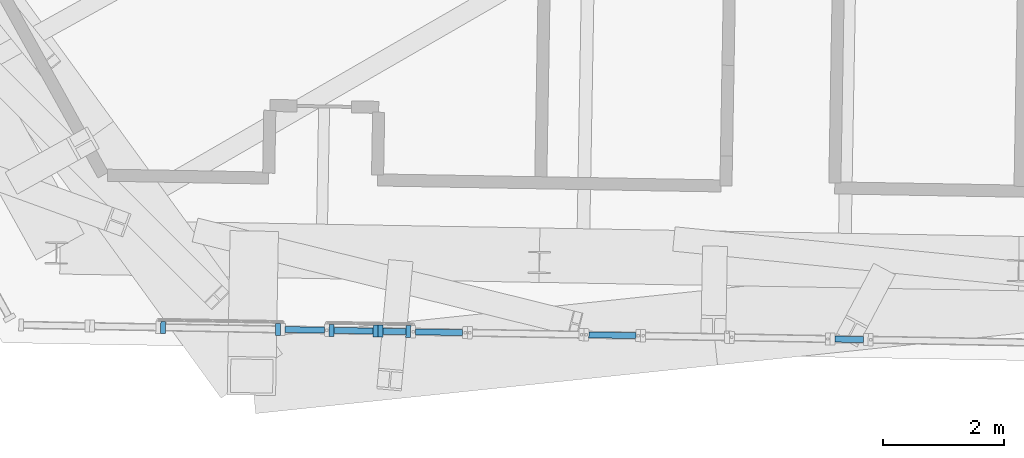
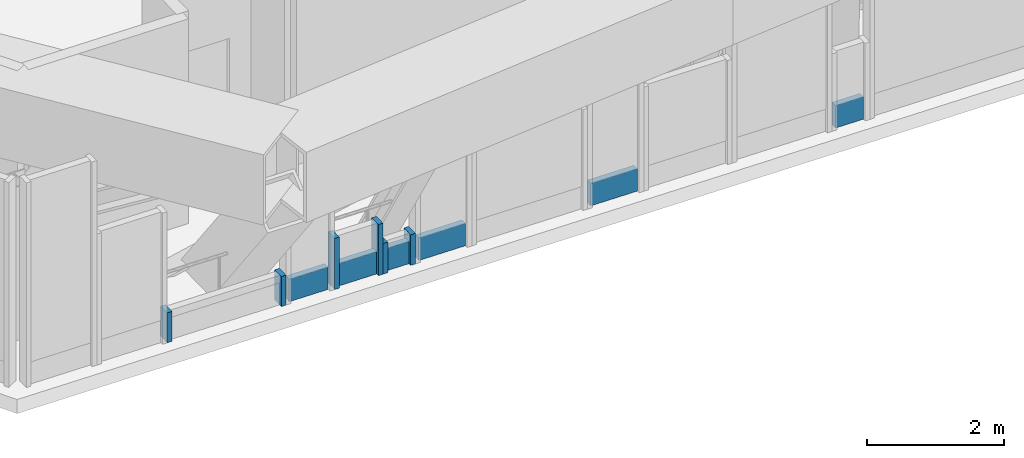
# One storey, part 10 of 28: 12 members, 7 elements without a shape of their own.
"""IFC4 building model written with IfcOpenShell, lengths in metres."""

from ifc_helpers import new_model, si_unit, direction, frame, origin, origin_2d, place, context, subcontext, project, spatial, rectangle, extrude, source, transform, mapped, material, material_profile, profile_set, type_object, element, aggregate, save


model = new_model("IFC4")

# Units and contexts
model_context = context("Model", 3, precision=1e-05, world=origin(), true_north=direction((0.0, 1.0)))
body_context = subcontext(model_context, "Body", "Model", "MODEL_VIEW")
ifc_project = project(units=[si_unit("LENGTHUNIT", "METRE"), si_unit("AREAUNIT", "SQUARE_METRE"), si_unit("VOLUMEUNIT", "CUBIC_METRE"), si_unit("PLANEANGLEUNIT", "RADIAN"), si_unit("MASSUNIT", "GRAM", prefix="KILO")], contexts=[model_context])

# Site, building, storey
site_placement = place(None, origin())
site = spatial("IfcSite", under=ifc_project, at=site_placement, CompositionType="ELEMENT")
building_placement = place(site_placement, origin())
building = spatial("IfcBuilding", under=site, at=building_placement, Name="Triune Harvest Tower", CompositionType="ELEMENT")
storey_placement = place(building_placement, frame((0.0, 0.0, 215.89990234375)))
storey = spatial("IfcBuildingStorey", under=building, at=storey_placement, Name="L56", CompositionType="ELEMENT", Elevation=215.89990234375)

# Curtain wall, member
ifc_material_1 = material(Name="Aluminium bronze anodised", Category="aluminium")
curtain_wall_type = type_object("IfcCurtainWallType", Name="CW-5 Plant louvre wall", PredefinedType="NOTDEFINED", material=ifc_material_1)
curtain_wall_1_placement = place(storey_placement, origin())
curtain_wall_1 = element("IfcCurtainWall", 1, at=curtain_wall_1_placement, inside=storey, type_object=curtain_wall_type, Name="CW-5 B5-F5 L56 run 401")
ifc_material_2 = material(Name="Aluminium bronze anodised", Category="aluminium")
ifc_material_profile_1 = material_profile(ifc_material_2, rectangle(XDim=0.10009765625, YDim=0.39990234375, at=origin_2d()), Name="TR-5 transom 100 x 400")
ifc_profile_set_1 = profile_set([ifc_material_profile_1], Name="Aluminium bronze anodised")
member_type_1 = type_object("IfcMemberType", Name="TR-5 transom 100 x 400", PredefinedType="USERDEFINED", material=ifc_profile_set_1)
member_1_placement = place(storey_placement, frame((-19.587158203125, -20.33837890625, 0.2001953125), z_axis=(0.999849602491, -0.017342790993, 0.0), x_axis=(0.017342790993, 0.999849602491, 0.0)))
member_1 = element("IfcMember", 2, at=member_1_placement, type_object=member_type_1, Name="CW-5 transom B5-F5 401.1", ObjectType="TRANSOM", PredefinedType="USERDEFINED", context=body_context, shape_type="SweptSolid", body=[
    extrude(rectangle(XDim=0.10009765625, YDim=0.39990234375, at=origin_2d()), origin(), (0.0, 0.0, 1.0), 0.6474609375),
])

curtain_wall_2_placement = place(storey_placement, origin())
curtain_wall_2 = element("IfcCurtainWall", 3, at=curtain_wall_2_placement, inside=storey, type_object=curtain_wall_type, Name="CW-5 B5-F5 L56 run 301")
shared_shape_1 = source(origin(), body_context, "Body", "SweptSolid", [
    extrude(rectangle(XDim=0.10009765625, YDim=0.39990234375, at=origin_2d()), origin(), (0.0, 0.0, 1.0), 0.647705078125),
])
member_2_placement = place(storey_placement, frame((-20.394775390625, -20.32421875, 0.2001953125), z_axis=(0.99984311226, -0.017713014051, 0.0), x_axis=(0.017713014051, 0.99984311226, 0.0)))
member_2 = element("IfcMember", 4, at=member_2_placement, type_object=member_type_1, Name="CW-5 transom B5-F5 301.1", ObjectType="TRANSOM", PredefinedType="USERDEFINED", context=body_context, shape_type="MappedRepresentation", body=[
    mapped(shared_shape_1, transform((0.0, 0.0, 0.0), scale=1.0)),
])
aggregate(curtain_wall_2, [member_2])

curtain_wall_3_placement = place(storey_placement, origin())
curtain_wall_3 = element("IfcCurtainWall", 5, at=curtain_wall_3_placement, inside=storey, type_object=curtain_wall_type, Name="CW-5 B5-F5 L56 run 501")
shared_shape_2 = source(origin(), body_context, "Body", "SweptSolid", [
    extrude(rectangle(XDim=0.10009765625, YDim=0.39990234375, at=origin_2d()), origin(), (0.0, 0.0, 1.0), 0.3798828125),
])
member_3_placement = place(storey_placement, frame((-18.77978515625, -20.3525390625, 0.2001953125), z_axis=(0.999849484825, -0.017349573323, 0.0), x_axis=(0.017349573323, 0.999849484825, 0.0)))
member_3 = element("IfcMember", 6, at=member_3_placement, type_object=member_type_1, Name="CW-5 transom B5-F5 501.1", ObjectType="TRANSOM", PredefinedType="USERDEFINED", context=body_context, shape_type="MappedRepresentation", body=[
    mapped(shared_shape_2, transform((0.0, 0.0, 0.0), scale=1.0)),
])

curtain_wall_4_placement = place(storey_placement, origin())
curtain_wall_4 = element("IfcCurtainWall", 7, at=curtain_wall_4_placement, inside=storey, type_object=curtain_wall_type, Name="CW-5 B5-F5 L56 run 601")
shared_shape_3 = source(origin(), body_context, "Body", "SweptSolid", [
    extrude(rectangle(XDim=0.10009765625, YDim=0.39990234375, at=origin_2d()), origin(), (0.0, 0.0, 1.0), 0.780029296875),
])
member_4_placement = place(storey_placement, frame((-18.239990234375, -20.36181640625, 0.2001953125), z_axis=(0.999846430743, -0.017524694874, 0.0), x_axis=(0.017524694874, 0.999846430743, 0.0)))
member_4 = element("IfcMember", 8, at=member_4_placement, type_object=member_type_1, Name="CW-5 transom B5-F5 601.1", ObjectType="TRANSOM", PredefinedType="USERDEFINED", context=body_context, shape_type="MappedRepresentation", body=[
    mapped(shared_shape_3, transform((0.0, 0.0, 0.0), scale=1.0)),
])
aggregate(curtain_wall_4, [member_4])

curtain_wall_5_placement = place(storey_placement, origin())
curtain_wall_5 = element("IfcCurtainWall", 9, at=curtain_wall_5_placement, inside=storey, type_object=curtain_wall_type, Name="CW-5 B5-F5 L56 run 801")
shared_shape_4 = source(origin(), body_context, "Body", "SweptSolid", [
    extrude(rectangle(XDim=0.10009765625, YDim=0.39990234375, at=origin_2d()), origin(), (0.0, 0.0, 1.0), 0.777587890625),
])
member_5_placement = place(storey_placement, frame((-15.374267578125, -20.411865234375, 0.2001953125), z_axis=(0.999845465125, -0.017579700486, 0.0), x_axis=(0.017579700486, 0.999845465125, 0.0)))
member_5 = element("IfcMember", 10, at=member_5_placement, type_object=member_type_1, Name="CW-5 transom B5-F5 801.1", ObjectType="TRANSOM", PredefinedType="USERDEFINED", context=body_context, shape_type="MappedRepresentation", body=[
    mapped(shared_shape_4, transform((0.0, 0.0, 0.0), scale=1.0)),
])
aggregate(curtain_wall_5, [member_5])

# Curtain wall, members
curtain_wall_6_placement = place(storey_placement, origin())
curtain_wall_6 = element("IfcCurtainWall", 11, at=curtain_wall_6_placement, inside=storey, type_object=curtain_wall_type, Name="CW-5 B5-F5 L56 run 201")
ifc_material_3 = material(Name="Aluminium bronze anodised", Category="aluminium")
ifc_material_profile_2 = material_profile(ifc_material_3, rectangle(XDim=0.199951171875, YDim=0.080078125, at=origin_2d()), Name="MU-5 mullion 80 x 200")
ifc_profile_set_2 = profile_set([ifc_material_profile_2], Name="Aluminium bronze anodised")
member_type_2 = type_object("IfcMemberType", Name="MU-5 mullion 80 x 200", PredefinedType="MULLION", material=ifc_profile_set_2)
shared_shape_5 = source(origin(), body_context, "Body", "SweptSolid", [
    extrude(rectangle(XDim=0.199951171875, YDim=0.080078125, at=origin_2d()), origin(), (0.0, 0.0, 1.0), 0.531494140625),
])
member_6_placement = place(storey_placement, frame((-22.4140625, -20.2890625, 0.0), z_axis=(0.0, 0.0, 1.0), x_axis=(0.017477374538, 0.999847259025, 0.0)))
member_6 = element("IfcMember", 12, at=member_6_placement, type_object=member_type_2, Name="CW-5 mullion B5-F5 201.1", PredefinedType="MULLION", context=body_context, shape_type="MappedRepresentation", body=[
    mapped(shared_shape_5, transform((0.0, 0.0, 0.0), scale=1.0)),
])
member_7_placement = place(storey_placement, frame((-20.5146484375, -20.322265625, 0.0), z_axis=(0.0, 0.0, 1.0), x_axis=(0.017477374538, 0.999847259025, 0.0)))
member_7 = element("IfcMember", 13, at=member_7_placement, type_object=member_type_2, Name="CW-5 mullion B5-F5 201.2", PredefinedType="MULLION", context=body_context, shape_type="MappedRepresentation", body=[
    mapped(shared_shape_5, transform((0.0, 0.0, 0.0), scale=1.0)),
])
aggregate(curtain_wall_6, [member_6, member_7])

# Curtain wall, member
curtain_wall_7_placement = place(storey_placement, origin())
curtain_wall_7 = element("IfcCurtainWall", 14, at=curtain_wall_7_placement, inside=storey, type_object=curtain_wall_type, Name="CW-5 B5-F5 L56 run 1101")
shared_shape_6 = source(origin(), body_context, "Body", "SweptSolid", [
    extrude(rectangle(XDim=0.10009765625, YDim=0.39990234375, at=origin_2d()), origin(), (0.0, 0.0, 1.0), 0.468994140625),
])
member_8_placement = place(storey_placement, frame((-11.302001953125, -20.48291015625, 0.2001953125), z_axis=(0.999843407453, -0.017696343495, 0.0), x_axis=(0.017696343495, 0.999843407453, 0.0)))
member_8 = element("IfcMember", 15, at=member_8_placement, type_object=member_type_1, Name="CW-5 transom B5-F5 1101.1", ObjectType="TRANSOM", PredefinedType="USERDEFINED", context=body_context, shape_type="MappedRepresentation", body=[
    mapped(shared_shape_6, transform((0.0, 0.0, 0.0), scale=1.0)),
])
aggregate(curtain_wall_7, [member_8])

# Member
shared_shape_7 = source(origin(), body_context, "Body", "SweptSolid", [
    extrude(rectangle(XDim=0.199951171875, YDim=0.080078125, at=origin_2d()), origin(), (0.0, 0.0, 1.0), 0.907958984375),
])
member_9_placement = place(storey_placement, frame((-19.627197265625, -20.337646484375, 0.0), z_axis=(0.0, 0.0, 1.0), x_axis=(0.017458638966, 0.999847586348, 0.0)))
member_9 = element("IfcMember", 16, at=member_9_placement, type_object=member_type_2, Name="CW-5 mullion B5-F5 401.1", PredefinedType="MULLION", context=body_context, shape_type="MappedRepresentation", body=[
    mapped(shared_shape_7, transform((0.0, 0.0, 0.0), scale=1.0)),
])

member_10_placement = place(storey_placement, frame((-18.899658203125, -20.350341796875, 0.0), z_axis=(0.0, 0.0, 1.0), x_axis=(0.017458638966, 0.999847586348, 0.0)))
member_10 = element("IfcMember", 17, at=member_10_placement, type_object=member_type_2, Name="CW-5 mullion B5-F5 401.2", PredefinedType="MULLION", context=body_context, shape_type="MappedRepresentation", body=[
    mapped(shared_shape_7, transform((0.0, 0.0, 0.0), scale=1.0)),
])

aggregate(curtain_wall_1, [member_9, member_10, member_1])

shared_shape_8 = source(origin(), body_context, "Body", "SweptSolid", [
    extrude(rectangle(XDim=0.199951171875, YDim=0.080078125, at=origin_2d()), origin(), (0.0, 0.0, 1.0), 0.544677734375),
])
member_11_placement = place(storey_placement, frame((-18.81982421875, -20.351806640625, 0.0), z_axis=(0.0, 0.0, 1.0), x_axis=(0.017411217272, 0.999848413267, 0.0)))
member_11 = element("IfcMember", 18, at=member_11_placement, type_object=member_type_2, Name="CW-5 mullion B5-F5 501.1", PredefinedType="MULLION", context=body_context, shape_type="MappedRepresentation", body=[
    mapped(shared_shape_8, transform((0.0, 0.0, 0.0), scale=1.0)),
])

member_12_placement = place(storey_placement, frame((-18.35986328125, -20.35986328125, 0.0), z_axis=(0.0, 0.0, 1.0), x_axis=(0.017411217272, 0.999848413267, 0.0)))
member_12 = element("IfcMember", 19, at=member_12_placement, type_object=member_type_2, Name="CW-5 mullion B5-F5 501.2", PredefinedType="MULLION", context=body_context, shape_type="MappedRepresentation", body=[
    mapped(shared_shape_8, transform((0.0, 0.0, 0.0), scale=1.0)),
])

aggregate(curtain_wall_3, [member_11, member_12, member_3])

save(model, "model.ifc")
